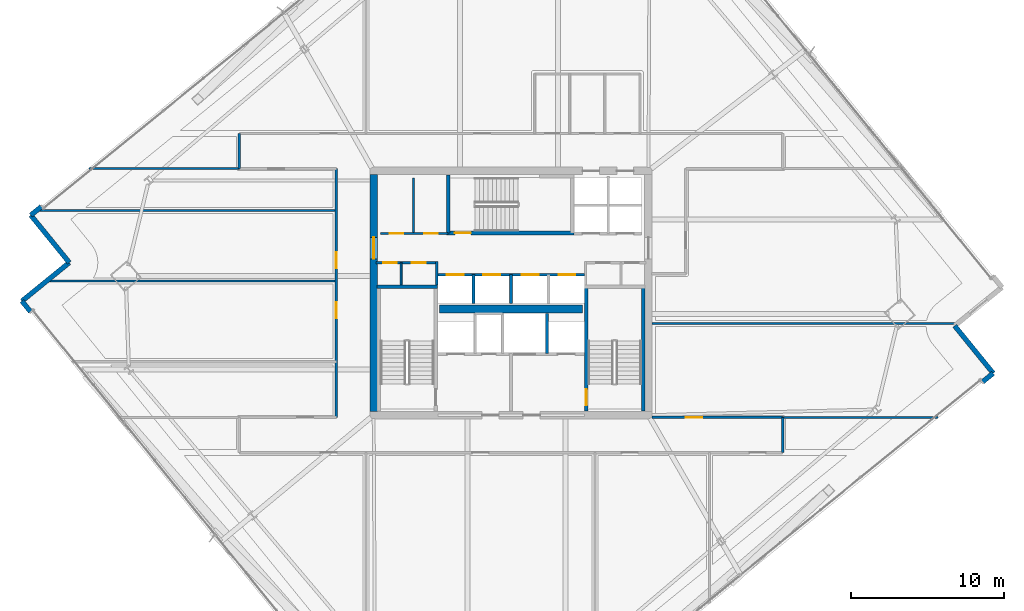
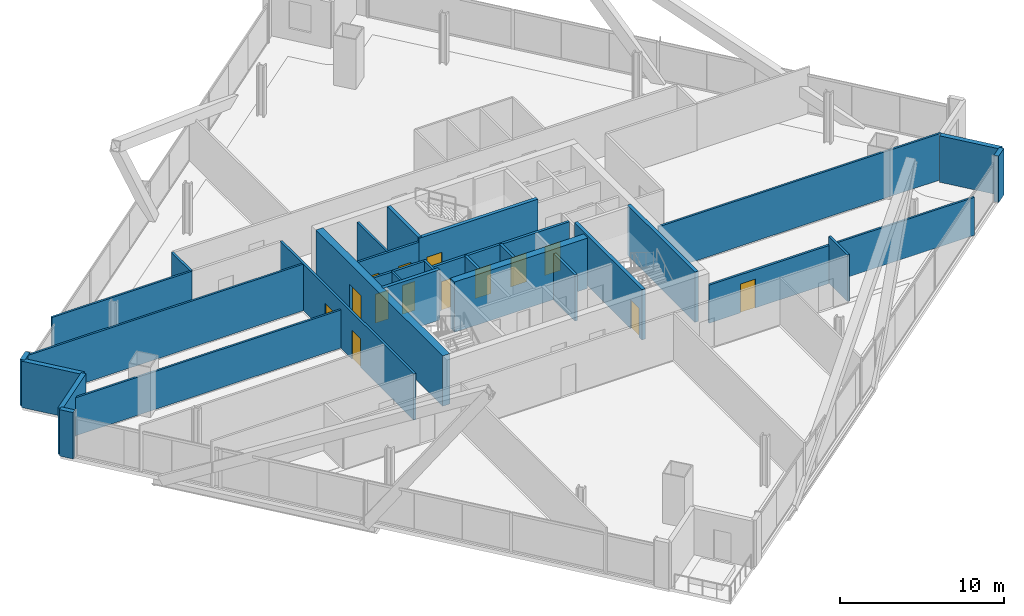
# One storey, part 29 of 36: 31 walls, 14 doors, 14 openings.
"""IFC4 building model written with IfcOpenShell, lengths in metres."""

from ifc_helpers import new_model, si_unit, direction, frame, frame_2d, origin, place, context, subcontext, project, spatial, rectangle, extrude, material, layer, layer_set, type_object, element, fill, save


model = new_model("IFC4")

# Units and contexts
model_context = context("Model", 3, precision=1e-05, world=origin(), true_north=direction((0.0, 1.0)))
body_context = subcontext(model_context, "Body", "Model", "MODEL_VIEW")
ifc_project = project(units=[si_unit("LENGTHUNIT", "METRE"), si_unit("AREAUNIT", "SQUARE_METRE"), si_unit("VOLUMEUNIT", "CUBIC_METRE"), si_unit("PLANEANGLEUNIT", "RADIAN"), si_unit("MASSUNIT", "GRAM", prefix="KILO")], contexts=[model_context])

# Site, building, storey
site_placement = place(None, origin())
site = spatial("IfcSite", under=ifc_project, at=site_placement, CompositionType="ELEMENT")
building_placement = place(site_placement, origin())
building = spatial("IfcBuilding", under=site, at=building_placement, Name="Haldenkirk Collegiate Tower", CompositionType="ELEMENT")
storey_placement = place(building_placement, frame((0.0, 0.0, 159.449951171875)))
storey = spatial("IfcBuildingStorey", under=building, at=storey_placement, Name="L39", CompositionType="ELEMENT", Elevation=159.449951171875)

# Wall, opening, door
ifc_material_1 = material(Name="Concrete f'c 55 MPa", Category="concrete")
ifc_layer_1 = layer(ifc_material_1, 0.5)
ifc_layer_set_1 = layer_set([ifc_layer_1], Name="Concrete f'c 55 MPa")
wall_type_1 = type_object("IfcWallType", Name="WL-CORE-500", PredefinedType="SHEAR", material=ifc_layer_set_1)
wall_1_placement = place(storey_placement, frame((27.0, 18.25, 0.0), z_axis=(0.0, 0.0, 1.0), x_axis=(0.0, 1.0, 0.0)))
wall_1 = element("IfcWall", 1, at=wall_1_placement, inside=storey, type_object=wall_type_1, Name="L39 central core shear wall W", PredefinedType="SHEAR", context=body_context, shape_type="SweptSolid", body=[
    extrude(rectangle(XDim=15.5, YDim=0.5, at=frame_2d((7.75, 0.0))), origin(), (0.0, 0.0, 1.0), 3.75),
])
opening_1_placement = place(wall_1_placement, frame((9.989990234375, 0.0, 0.0)))
opening_1 = element("IfcOpeningElement", 2, at=opening_1_placement, cuts=wall_1, Name="Opening D-03", PredefinedType="OPENING", context=body_context, shape_type="SweptSolid", body=[
    extrude(rectangle(XDim=1.39990234375, YDim=2.199951171875, at=frame_2d((0.699951171875, 1.10009765625))), frame((0.0, 0.260009765625, 0.0), z_axis=(0.0, -1.0, 0.0), x_axis=(1.0, 0.0, 0.0)), (0.0, 0.0, 1.0), 0.52001953125),
])
ifc_material_2 = material(Name="Galvanized fire-rated hollow steel door", Category="steel")
ifc_layer_2 = layer(ifc_material_2, 0.06005859375)
ifc_layer_set_2 = layer_set([ifc_layer_2], Name="Galvanized fire-rated hollow steel door")
door_type_1 = type_object("IfcDoorType", Name="DR-LOBBY-FD90-1400", OperationType="NOTDEFINED", PredefinedType="DOOR", material=ifc_layer_set_2)
door_1_placement = place(opening_1_placement, origin())
door_1 = element("IfcDoor", 3, at=door_1_placement, inside=storey, type_object=door_type_1, Name="L39 west lift lobby portal", OperationType="DOUBLE_DOOR_SINGLE_SWING", OverallHeight=2.199951171875, OverallWidth=1.39990234375, PredefinedType="DOOR", context=body_context, shape_type="SweptSolid", body=[
    extrude(rectangle(XDim=1.39990234375, YDim=2.199951171875, at=frame_2d((0.699951171875, 1.10009765625))), frame((0.0, 0.02490234375, 0.0), z_axis=(0.0, -1.0, 0.0), x_axis=(1.0, 0.0, 0.0)), (0.0, 0.0, 1.0), 0.050048828125),
])
fill(opening_1, door_1)

# Walls
wall_2_placement = place(storey_placement, frame((31.31005859375, 24.949951171875, 0.0), z_axis=(0.0, 0.0, 1.0), x_axis=(1.0, 0.0, 0.0)))
element("IfcWall", 4, at=wall_2_placement, inside=storey, type_object=wall_type_1, Name="L39 central core spine shear wall", PredefinedType="SHEAR", context=body_context, shape_type="SweptSolid", body=[
    extrude(rectangle(XDim=9.3798828125, YDim=0.5, at=frame_2d((4.68994140625, 0.0))), origin(), (0.0, 0.0, 1.0), 3.75),
])
ifc_material_3 = material(Name="Precast concrete f'c 40 MPa", Category="concrete")
ifc_layer_3 = layer(ifc_material_3, 0.320068359375)
ifc_layer_set_3 = layer_set([ifc_layer_3], Name="Precast concrete f'c 40 MPa")
wall_type_2 = type_object("IfcWallType", Name="WL-EXT-TWR-320", PredefinedType="STANDARD", material=ifc_layer_set_3)
wall_3_placement = place(storey_placement, frame((67.58837890625, 20.7451171875, 0.0), z_axis=(0.0, 0.0, 1.0), x_axis=(-0.776055916689, -0.630664105663, 0.0)))
element("IfcWall", 5, at=wall_3_placement, inside=storey, type_object=wall_type_2, Name="L39 precast corner pier SL", PredefinedType="STANDARD", context=body_context, shape_type="SweptSolid", body=[
    extrude(rectangle(XDim=0.900146484375, YDim=0.320068359375, at=frame_2d((0.4501953125, 0.0))), origin(), (0.0, 0.0, 1.0), 3.4599609375),
])
wall_4_placement = place(storey_placement, frame((65.065673828125, 23.849365234375, 0.0), z_axis=(0.0, 0.0, 1.0), x_axis=(0.63066844835, -0.776052387571, 0.0)))
element("IfcWall", 6, at=wall_4_placement, inside=storey, type_object=wall_type_2, Name="L39 bronze precast notch wall 02", PredefinedType="STANDARD", context=body_context, shape_type="SweptSolid", body=[
    extrude(rectangle(XDim=4.0, YDim=0.320068359375, at=frame_2d((2.0, 0.0))), origin(), (0.0, 0.0, 1.0), 3.4599609375),
])
wall_5_placement = place(storey_placement, frame((4.53759765625, 31.099609375, 0.0), z_axis=(0.0, 0.0, 1.0), x_axis=(0.776055916689, 0.630664105663, 0.0)))
element("IfcWall", 7, at=wall_5_placement, inside=storey, type_object=wall_type_2, Name="L39 precast corner pier NL", PredefinedType="STANDARD", context=body_context, shape_type="SweptSolid", body=[
    extrude(rectangle(XDim=0.900146484375, YDim=0.320068359375, at=frame_2d((0.4501953125, 0.0))), origin(), (0.0, 0.0, 1.0), 3.4599609375),
])
wall_6_placement = place(storey_placement, frame((7.060302734375, 27.995361328125, 0.0), z_axis=(0.0, 0.0, 1.0), x_axis=(-0.63066844835, 0.776052387571, 0.0)))
element("IfcWall", 8, at=wall_6_placement, inside=storey, type_object=wall_type_2, Name="L39 bronze precast notch wall 08", PredefinedType="STANDARD", context=body_context, shape_type="SweptSolid", body=[
    extrude(rectangle(XDim=4.0, YDim=0.320068359375, at=frame_2d((2.0, 0.0))), origin(), (0.0, 0.0, 1.0), 3.4599609375),
])
wall_7_placement = place(storey_placement, frame((3.956298828125, 25.47265625, 0.0), z_axis=(0.0, 0.0, 1.0), x_axis=(0.77602810986, 0.630698321471, 0.0)))
element("IfcWall", 9, at=wall_7_placement, inside=storey, type_object=wall_type_2, Name="L39 bronze precast notch wall 09", PredefinedType="STANDARD", context=body_context, shape_type="SweptSolid", body=[
    extrude(rectangle(XDim=3.999755859375, YDim=0.320068359375, at=frame_2d((2.0, 0.0))), origin(), (0.0, 0.0, 1.0), 3.4599609375),
])
wall_8_placement = place(storey_placement, frame((4.523681640625, 24.7744140625, 0.0), z_axis=(0.0, 0.0, 1.0), x_axis=(-0.63063348738, 0.776080797723, 0.0)))
element("IfcWall", 10, at=wall_8_placement, inside=storey, type_object=wall_type_2, Name="L39 precast corner pier WR", PredefinedType="STANDARD", context=body_context, shape_type="SweptSolid", body=[
    extrude(rectangle(XDim=0.899658203125, YDim=0.320068359375, at=frame_2d((0.44970703125, 0.0))), origin(), (0.0, 0.0, 1.0), 3.4599609375),
])

# Wall, openings, doors
ifc_material_4 = material(Name="Acoustic fire-rated gypsum partition", Category="concrete")
ifc_layer_4 = layer(ifc_material_4, 0.159912109375)
ifc_layer_set_4 = layer_set([ifc_layer_4], Name="Acoustic fire-rated gypsum partition")
wall_type_3 = type_object("IfcWallType", Name="WL-INT-CORR-160", PredefinedType="PARTITIONING", material=ifc_layer_set_4)
wall_9_placement = place(storey_placement, frame((27.14990234375, 27.97998046875, 0.0), z_axis=(0.0, 0.0, 1.0), x_axis=(1.0, 0.0, 0.0)))
wall_9 = element("IfcWall", 11, at=wall_9_placement, inside=storey, type_object=wall_type_3, Name="L39 interior partition IW-L39-VCSW-N", PredefinedType="PARTITIONING", context=body_context, shape_type="SweptSolid", body=[
    extrude(rectangle(XDim=4.050048828125, YDim=0.159912109375, at=frame_2d((2.02490234375, 0.0))), origin(), (0.0, 0.0, 1.0), 3.4599609375),
])
opening_2_placement = place(wall_9_placement, frame((0.469970703125, 0.0, 0.0)))
opening_2 = element("IfcOpeningElement", 12, at=opening_2_placement, cuts=wall_9, Name="Opening D-11", PredefinedType="OPENING", context=body_context, shape_type="SweptSolid", body=[
    extrude(rectangle(XDim=0.89990234375, YDim=2.14990234375, at=frame_2d((0.449951171875, 1.074951171875))), frame((0.0, 0.08984375, 0.0), z_axis=(0.0, -1.0, 0.0), x_axis=(1.0, 0.0, 0.0)), (0.0, 0.0, 1.0), 0.179931640625),
])
opening_3_placement = place(wall_9_placement, frame((2.360107421875, 0.0, 0.0)))
opening_3 = element("IfcOpeningElement", 13, at=opening_3_placement, cuts=wall_9, Name="Opening D-11", PredefinedType="OPENING", context=body_context, shape_type="SweptSolid", body=[
    extrude(rectangle(XDim=0.89990234375, YDim=2.14990234375, at=frame_2d((0.449951171875, 1.074951171875))), frame((0.0, 0.08984375, 0.0), z_axis=(0.0, -1.0, 0.0), x_axis=(1.0, 0.0, 0.0)), (0.0, 0.0, 1.0), 0.179931640625),
])
ifc_material_5 = material(Name="Solid-core architectural oak fire door", Category="wood")
ifc_layer_5 = layer(ifc_material_5, 0.06005859375)
ifc_layer_set_5 = layer_set([ifc_layer_5], Name="Solid-core architectural oak fire door")
door_type_2 = type_object("IfcDoorType", Name="DR-INT-FD60-900", OperationType="NOTDEFINED", PredefinedType="DOOR", material=ifc_layer_set_5)
door_2_placement = place(opening_2_placement, origin())
door_2 = element("IfcDoor", 14, at=door_2_placement, inside=storey, type_object=door_type_2, Name="L39 core AV closet door", OperationType="SINGLE_SWING_LEFT", OverallHeight=2.14990234375, OverallWidth=0.89990234375, PredefinedType="DOOR", context=body_context, shape_type="SweptSolid", body=[
    extrude(rectangle(XDim=0.89990234375, YDim=2.14990234375, at=frame_2d((0.449951171875, 1.074951171875))), frame((0.0, 0.02490234375, 0.0), z_axis=(0.0, -1.0, 0.0), x_axis=(1.0, 0.0, 0.0)), (0.0, 0.0, 1.0), 0.050048828125),
])
fill(opening_2, door_2)
door_3_placement = place(opening_3_placement, origin())
door_3 = element("IfcDoor", 15, at=door_3_placement, inside=storey, type_object=door_type_2, Name="L39 core supply closet door", OperationType="SINGLE_SWING_RIGHT", OverallHeight=2.14990234375, OverallWidth=0.89990234375, PredefinedType="DOOR", context=body_context, shape_type="SweptSolid", body=[
    extrude(rectangle(XDim=0.89990234375, YDim=2.14990234375, at=frame_2d((0.449951171875, 1.074951171875))), frame((0.0, 0.02490234375, 0.0), z_axis=(0.0, -1.0, 0.0), x_axis=(1.0, 0.0, 0.0)), (0.0, 0.0, 1.0), 0.050048828125),
])
fill(opening_3, door_3)

# Wall
wall_10_placement = place(storey_placement, frame((31.1201171875, 26.5400390625, 0.0), z_axis=(0.0, 0.0, 1.0), x_axis=(0.0, 1.0, 0.0)))
element("IfcWall", 16, at=wall_10_placement, inside=storey, type_object=wall_type_3, Name="L39 interior partition IW-L39-VCSW-E", PredefinedType="PARTITIONING", context=body_context, shape_type="SweptSolid", body=[
    extrude(rectangle(XDim=1.510009765625, YDim=0.159912109375, at=frame_2d((0.7548828125, 0.0))), origin(), (0.0, 0.0, 1.0), 3.4599609375),
])

# Wall, openings, doors
wall_11_placement = place(storey_placement, frame((27.449951171875, 29.89990234375, 0.0), z_axis=(0.0, 0.0, 1.0), x_axis=(1.0, 0.0, 0.0)))
wall_11 = element("IfcWall", 17, at=wall_11_placement, inside=storey, type_object=wall_type_3, Name="L39 interior partition IW-L39-PLS", PredefinedType="PARTITIONING", context=body_context, shape_type="SweptSolid", body=[
    extrude(rectangle(XDim=4.429931640625, YDim=0.159912109375, at=frame_2d((2.21484375, 0.0))), origin(), (0.0, 0.0, 1.0), 3.4599609375),
])
opening_4_placement = place(wall_11_placement, frame((0.60009765625, 0.0, 0.0)))
opening_4 = element("IfcOpeningElement", 18, at=opening_4_placement, cuts=wall_11, Name="Opening D-11", PredefinedType="OPENING", context=body_context, shape_type="SweptSolid", body=[
    extrude(rectangle(XDim=0.89990234375, YDim=2.14990234375, at=frame_2d((0.449951171875, 1.074951171875))), frame((0.0, 0.08984375, 0.0), z_axis=(0.0, -1.0, 0.0), x_axis=(1.0, 0.0, 0.0)), (0.0, 0.0, 1.0), 0.179931640625),
])
opening_5_placement = place(wall_11_placement, frame((2.85009765625, 0.0, 0.0)))
opening_5 = element("IfcOpeningElement", 19, at=opening_5_placement, cuts=wall_11, Name="Opening D-11", PredefinedType="OPENING", context=body_context, shape_type="SweptSolid", body=[
    extrude(rectangle(XDim=0.89990234375, YDim=2.14990234375, at=frame_2d((0.449951171875, 1.074951171875))), frame((0.0, 0.08984375, 0.0), z_axis=(0.0, -1.0, 0.0), x_axis=(1.0, 0.0, 0.0)), (0.0, 0.0, 1.0), 0.179931640625),
])
door_4_placement = place(opening_4_placement, origin())
door_4 = element("IfcDoor", 20, at=door_4_placement, inside=storey, type_object=door_type_2, Name="L39 tea kitchen door", OperationType="SINGLE_SWING_LEFT", OverallHeight=2.14990234375, OverallWidth=0.89990234375, PredefinedType="DOOR", context=body_context, shape_type="SweptSolid", body=[
    extrude(rectangle(XDim=0.89990234375, YDim=2.14990234375, at=frame_2d((0.449951171875, 1.074951171875))), frame((0.0, 0.02490234375, 0.0), z_axis=(0.0, -1.0, 0.0), x_axis=(1.0, 0.0, 0.0)), (0.0, 0.0, 1.0), 0.050048828125),
])
fill(opening_4, door_4)
door_5_placement = place(opening_5_placement, origin())
door_5 = element("IfcDoor", 21, at=door_5_placement, inside=storey, type_object=door_type_2, Name="L39 IT room door", OperationType="SINGLE_SWING_RIGHT", OverallHeight=2.14990234375, OverallWidth=0.89990234375, PredefinedType="DOOR", context=body_context, shape_type="SweptSolid", body=[
    extrude(rectangle(XDim=0.89990234375, YDim=2.14990234375, at=frame_2d((0.449951171875, 1.074951171875))), frame((0.0, 0.02490234375, 0.0), z_axis=(0.0, -1.0, 0.0), x_axis=(1.0, 0.0, 0.0)), (0.0, 0.0, 1.0), 0.050048828125),
])
fill(opening_5, door_5)

# Wall, opening, door
wall_12_placement = place(storey_placement, frame((45.25, 17.85009765625, 0.0), z_axis=(0.0, 0.0, 1.0), x_axis=(1.0, 0.0, 0.0)))
wall_12 = element("IfcWall", 22, at=wall_12_placement, inside=storey, type_object=wall_type_3, Name="L39 interior partition IW-L39-CSE", PredefinedType="PARTITIONING", context=body_context, shape_type="SweptSolid", body=[
    extrude(rectangle(XDim=8.550048828125, YDim=0.159912109375, at=frame_2d((4.27490234375, 0.0))), origin(), (0.0, 0.0, 1.0), 2.839111328125),
])
opening_6_placement = place(wall_12_placement, frame((2.2109375, 0.0, 0.0)))
opening_6 = element("IfcOpeningElement", 23, at=opening_6_placement, cuts=wall_12, Name="Opening D-09", PredefinedType="OPENING", context=body_context, shape_type="SweptSolid", body=[
    extrude(rectangle(XDim=1.050048828125, YDim=2.14990234375, at=frame_2d((0.52490234375, 1.074951171875))), frame((0.0, 0.08984375, 0.0), z_axis=(0.0, -1.0, 0.0), x_axis=(1.0, 0.0, 0.0)), (0.0, 0.0, 1.0), 0.179931640625),
])
ifc_layer_6 = layer(ifc_material_5, 0.06005859375)
ifc_layer_set_6 = layer_set([ifc_layer_6], Name="Solid-core architectural oak fire door")
door_type_3 = type_object("IfcDoorType", Name="DR-INT-FD60-1050", OperationType="NOTDEFINED", PredefinedType="DOOR", material=ifc_layer_set_6)
door_6_placement = place(opening_6_placement, origin())
door_6 = element("IfcDoor", 24, at=door_6_placement, inside=storey, type_object=door_type_3, Name="L39 Instrument Store Room 11 door", OperationType="SINGLE_SWING_RIGHT", OverallHeight=2.14990234375, OverallWidth=1.050048828125, PredefinedType="DOOR", context=body_context, shape_type="SweptSolid", body=[
    extrude(rectangle(XDim=1.050048828125, YDim=2.14990234375, at=frame_2d((0.52490234375, 1.074951171875))), frame((0.0, 0.02490234375, 0.0), z_axis=(0.0, -1.0, 0.0), x_axis=(1.0, 0.0, 0.0)), (0.0, 0.0, 1.0), 0.050048828125),
])
fill(opening_6, door_6)

# Wall, openings, doors
wall_13_placement = place(storey_placement, frame((24.550048828125, 17.85009765625, 0.0), z_axis=(0.0, 0.0, 1.0), x_axis=(0.0, 1.0, 0.0)))
wall_13 = element("IfcWall", 25, at=wall_13_placement, inside=storey, type_object=wall_type_3, Name="L39 interior partition IW-L39-CW", PredefinedType="PARTITIONING", context=body_context, shape_type="SweptSolid", body=[
    extrude(rectangle(XDim=16.2998046875, YDim=0.159912109375, at=frame_2d((8.14990234375, 0.0))), origin(), (0.0, 0.0, 1.0), 3.4599609375),
])
opening_7_placement = place(wall_13_placement, frame((6.490966796875, 0.0, 0.0)))
opening_7 = element("IfcOpeningElement", 26, at=opening_7_placement, cuts=wall_13, Name="Opening D-09", PredefinedType="OPENING", context=body_context, shape_type="SweptSolid", body=[
    extrude(rectangle(XDim=1.050048828125, YDim=2.14990234375, at=frame_2d((0.52490234375, 1.074951171875))), frame((0.0, 0.08984375, 0.0), z_axis=(0.0, -1.0, 0.0), x_axis=(1.0, 0.0, 0.0)), (0.0, 0.0, 1.0), 0.179931640625),
])
opening_8_placement = place(wall_13_placement, frame((9.777099609375, 0.0, 0.0)))
opening_8 = element("IfcOpeningElement", 27, at=opening_8_placement, cuts=wall_13, Name="Opening D-09", PredefinedType="OPENING", context=body_context, shape_type="SweptSolid", body=[
    extrude(rectangle(XDim=1.050048828125, YDim=2.14990234375, at=frame_2d((0.52490234375, 1.074951171875))), frame((0.0, 0.08984375, 0.0), z_axis=(0.0, -1.0, 0.0), x_axis=(1.0, 0.0, 0.0)), (0.0, 0.0, 1.0), 0.179931640625),
])
door_7_placement = place(opening_7_placement, origin())
door_7 = element("IfcDoor", 28, at=door_7_placement, inside=storey, type_object=door_type_3, Name="L39 Campus Print Shop 8 door", OperationType="SINGLE_SWING_LEFT", OverallHeight=2.14990234375, OverallWidth=1.050048828125, PredefinedType="DOOR", context=body_context, shape_type="SweptSolid", body=[
    extrude(rectangle(XDim=1.050048828125, YDim=2.14990234375, at=frame_2d((0.52490234375, 1.074951171875))), frame((0.0, 0.02490234375, 0.0), z_axis=(0.0, -1.0, 0.0), x_axis=(1.0, 0.0, 0.0)), (0.0, 0.0, 1.0), 0.050048828125),
])
fill(opening_7, door_7)
door_8_placement = place(opening_8_placement, origin())
door_8 = element("IfcDoor", 29, at=door_8_placement, inside=storey, type_object=door_type_3, Name="L39 Model Supply Shop 9 door", OperationType="SINGLE_SWING_RIGHT", OverallHeight=2.14990234375, OverallWidth=1.050048828125, PredefinedType="DOOR", context=body_context, shape_type="SweptSolid", body=[
    extrude(rectangle(XDim=1.050048828125, YDim=2.14990234375, at=frame_2d((0.52490234375, 1.074951171875))), frame((0.0, 0.02490234375, 0.0), z_axis=(0.0, -1.0, 0.0), x_axis=(1.0, 0.0, 0.0)), (0.0, 0.0, 1.0), 0.050048828125),
])
fill(opening_8, door_8)

# Walls
for number, where, z_axis, x_axis, name in (
    (30, (53.800048828125, 15.550048828125, 0.0), (0.0, 0.0, 1.0), (0.0, 1.0, 0.0), "L39 interior partition IW-L39-CSR"),
    (31, (18.199951171875, 34.14990234375, 0.0), (0.0, 0.0, 1.0), (0.0, 1.0, 0.0), "L39 interior partition IW-L39-CNL"),
):
    element("IfcWall", number, at=place(storey_placement, frame(where, z_axis=z_axis, x_axis=x_axis)), inside=storey, type_object=wall_type_3, Name=name, PredefinedType="PARTITIONING", context=body_context, shape_type="SweptSolid", body=[
        extrude(rectangle(XDim=2.300048828125, YDim=0.159912109375, at=frame_2d((1.14990234375, 0.0))), origin(), (0.0, 0.0, 1.0), 3.4599609375),
    ])
ifc_layer_7 = layer(ifc_material_4, 0.139892578125)
ifc_layer_set_7 = layer_set([ifc_layer_7], Name="Acoustic fire-rated gypsum partition")
wall_type_4 = type_object("IfcWallType", Name="WL-INT-DIV-140", PredefinedType="PARTITIONING", material=ifc_layer_set_7)
wall_14_placement = place(storey_placement, frame((29.6201171875, 29.949951171875, 0.0), z_axis=(0.0, 0.0, 1.0), x_axis=(0.0, 1.0, 0.0)))
element("IfcWall", 32, at=wall_14_placement, inside=storey, type_object=wall_type_4, Name="L39 interior partition IW-L39-PLDIV", PredefinedType="PARTITIONING", context=body_context, shape_type="SweptSolid", body=[
    extrude(rectangle(XDim=3.60009765625, YDim=0.139892578125, at=frame_2d((1.800048828125, 0.0))), origin(), (0.0, 0.0, 1.0), 3.4599609375),
])
wall_15_placement = place(storey_placement, frame((8.354736328125, 34.14990234375, 0.0), z_axis=(0.0, 0.0, 1.0), x_axis=(1.0, 0.0, 0.0)))
element("IfcWall", 33, at=wall_15_placement, inside=storey, type_object=wall_type_4, Name="L39 interior partition IW-L39-BWN", PredefinedType="PARTITIONING", context=body_context, shape_type="SweptSolid", body=[
    extrude(rectangle(XDim=9.84521484375, YDim=0.139892578125, at=frame_2d((4.922607421875, 0.0))), origin(), (0.0, 0.0, 1.0), 3.4599609375),
])
wall_16_placement = place(storey_placement, frame((53.800048828125, 17.85009765625, 0.0), z_axis=(0.0, 0.0, 1.0), x_axis=(1.0, 0.0, 0.0)))
element("IfcWall", 34, at=wall_16_placement, inside=storey, type_object=wall_type_4, Name="L39 interior partition IW-L39-BES", PredefinedType="PARTITIONING", context=body_context, shape_type="SweptSolid", body=[
    extrude(rectangle(XDim=10.162353515625, YDim=0.139892578125, at=frame_2d((5.0810546875, 0.0))), origin(), (0.0, 0.0, 1.0), 2.839111328125),
])
wall_17_placement = place(storey_placement, frame((5.65283203125, 26.800048828125, 0.0), z_axis=(0.0, 0.0, 1.0), x_axis=(1.0, 0.0, 0.0)))
element("IfcWall", 35, at=wall_17_placement, inside=storey, type_object=wall_type_4, Name="L39 interior partition IW-L39-RW2", PredefinedType="PARTITIONING", context=body_context, shape_type="SweptSolid", body=[
    extrude(rectangle(XDim=18.897216796875, YDim=0.139892578125, at=frame_2d((9.44873046875, 0.0))), origin(), (0.0, 0.0, 1.0), 2.839111328125),
])
wall_18_placement = place(storey_placement, frame((4.970703125, 31.39990234375, 0.0), z_axis=(0.0, 0.0, 1.0), x_axis=(1.0, 0.0, 0.0)))
element("IfcWall", 36, at=wall_18_placement, inside=storey, type_object=wall_type_4, Name="L39 interior partition IW-L39-RW3", PredefinedType="PARTITIONING", context=body_context, shape_type="SweptSolid", body=[
    extrude(rectangle(XDim=19.579345703125, YDim=0.139892578125, at=frame_2d((9.78955078125, 0.0))), origin(), (0.0, 0.0, 1.0), 3.4599609375),
])
wall_19_placement = place(storey_placement, frame((45.25, 24.0, 0.0), z_axis=(0.0, 0.0, 1.0), x_axis=(1.0, 0.0, 0.0)))
element("IfcWall", 37, at=wall_19_placement, inside=storey, type_object=wall_type_4, Name="L39 interior partition IW-L39-RE1", PredefinedType="PARTITIONING", context=body_context, shape_type="SweptSolid", body=[
    extrude(rectangle(XDim=19.9375, YDim=0.139892578125, at=frame_2d((9.96875, 0.0))), origin(), (0.0, 0.0, 1.0), 3.4599609375),
])
ifc_material_6 = material(Name="Fire-rated gypsum shaftboard assembly", Category="concrete")
ifc_layer_8 = layer(ifc_material_6, 0.179931640625)
ifc_layer_set_8 = layer_set([ifc_layer_8], Name="Fire-rated gypsum shaftboard assembly")
wall_type_5 = type_object("IfcWallType", Name="WL-INT-SHAFT-180", PredefinedType="PARTITIONING", material=ifc_layer_set_8)
wall_20_placement = place(storey_placement, frame((38.35009765625, 22.050048828125, 0.0), z_axis=(0.0, 0.0, 1.0), x_axis=(0.0, 1.0, 0.0)))
element("IfcWall", 38, at=wall_20_placement, inside=storey, type_object=wall_type_5, Name="L39 interior partition IW-L39-GL1E", PredefinedType="PARTITIONING", context=body_context, shape_type="SweptSolid", body=[
    extrude(rectangle(XDim=2.599853515625, YDim=0.179931640625, at=frame_2d((1.2998046875, 0.0))), origin(), (0.0, 0.0, 1.0), 3.4599609375),
])

# Wall, openings, doors
wall_21_placement = place(storey_placement, frame((31.199951171875, 27.199951171875, 0.0), z_axis=(0.0, 0.0, 1.0), x_axis=(1.0, 0.0, 0.0)))
wall_21 = element("IfcWall", 39, at=wall_21_placement, inside=storey, type_object=wall_type_5, Name="L39 interior partition IW-L39-PHN", PredefinedType="PARTITIONING", context=body_context, shape_type="SweptSolid", body=[
    extrude(rectangle(XDim=9.60009765625, YDim=0.179931640625, at=frame_2d((4.800048828125, 0.0))), origin(), (0.0, 0.0, 1.0), 3.4599609375),
])
opening_9_placement = place(wall_21_placement, frame((0.590087890625, 0.0, 0.0)))
opening_9 = element("IfcOpeningElement", 40, at=opening_9_placement, cuts=wall_21, Name="Opening LD-11", PredefinedType="OPENING", context=body_context, shape_type="SweptSolid", body=[
    extrude(rectangle(XDim=1.10009765625, YDim=2.14990234375, at=frame_2d((0.550048828125, 1.074951171875))), frame((0.0, 0.099853515625, 0.0), z_axis=(0.0, -1.0, 0.0), x_axis=(1.0, 0.0, 0.0)), (0.0, 0.0, 1.0), 0.199951171875),
])
opening_10_placement = place(wall_21_placement, frame((2.989990234375, 0.0, 0.0)))
opening_10 = element("IfcOpeningElement", 41, at=opening_10_placement, cuts=wall_21, Name="Opening LD-11", PredefinedType="OPENING", context=body_context, shape_type="SweptSolid", body=[
    extrude(rectangle(XDim=1.10009765625, YDim=2.14990234375, at=frame_2d((0.550048828125, 1.074951171875))), frame((0.0, 0.099853515625, 0.0), z_axis=(0.0, -1.0, 0.0), x_axis=(1.0, 0.0, 0.0)), (0.0, 0.0, 1.0), 0.199951171875),
])
opening_11_placement = place(wall_21_placement, frame((5.510009765625, 0.0, 0.0)))
opening_11 = element("IfcOpeningElement", 42, at=opening_11_placement, cuts=wall_21, Name="Opening LD-11", PredefinedType="OPENING", context=body_context, shape_type="SweptSolid", body=[
    extrude(rectangle(XDim=1.10009765625, YDim=2.14990234375, at=frame_2d((0.550048828125, 1.074951171875))), frame((0.0, 0.099853515625, 0.0), z_axis=(0.0, -1.0, 0.0), x_axis=(1.0, 0.0, 0.0)), (0.0, 0.0, 1.0), 0.199951171875),
])
opening_12_placement = place(wall_21_placement, frame((7.909912109375, 0.0, 0.0)))
opening_12 = element("IfcOpeningElement", 43, at=opening_12_placement, cuts=wall_21, Name="Opening LD-11", PredefinedType="OPENING", context=body_context, shape_type="SweptSolid", body=[
    extrude(rectangle(XDim=1.10009765625, YDim=2.14990234375, at=frame_2d((0.550048828125, 1.074951171875))), frame((0.0, 0.099853515625, 0.0), z_axis=(0.0, -1.0, 0.0), x_axis=(1.0, 0.0, 0.0)), (0.0, 0.0, 1.0), 0.199951171875),
])
ifc_material_7 = material(Name="Brushed architectural stainless steel", Category="steel")
ifc_layer_9 = layer(ifc_material_7, 0.06005859375)
ifc_layer_set_9 = layer_set([ifc_layer_9], Name="Brushed architectural stainless steel")
door_type_4 = type_object("IfcDoorType", Name="LD-PASS-1100", OperationType="NOTDEFINED", PredefinedType="DOOR", material=ifc_layer_set_9)
door_9_placement = place(opening_9_placement, origin())
door_9 = element("IfcDoor", 44, at=door_9_placement, inside=storey, type_object=door_type_4, Name="L39 Elevator PH1 sliding landing door", OperationType="SLIDING_TO_LEFT", OverallHeight=2.14990234375, OverallWidth=1.10009765625, PredefinedType="DOOR", context=body_context, shape_type="SweptSolid", body=[
    extrude(rectangle(XDim=1.10009765625, YDim=2.14990234375, at=frame_2d((0.550048828125, 1.074951171875))), frame((0.0, 0.02490234375, 0.0), z_axis=(0.0, -1.0, 0.0), x_axis=(1.0, 0.0, 0.0)), (0.0, 0.0, 1.0), 0.050048828125),
])
fill(opening_9, door_9)
door_10_placement = place(opening_10_placement, origin())
door_10 = element("IfcDoor", 45, at=door_10_placement, inside=storey, type_object=door_type_4, Name="L39 Elevator PH2 sliding landing door", OperationType="SLIDING_TO_LEFT", OverallHeight=2.14990234375, OverallWidth=1.10009765625, PredefinedType="DOOR", context=body_context, shape_type="SweptSolid", body=[
    extrude(rectangle(XDim=1.10009765625, YDim=2.14990234375, at=frame_2d((0.550048828125, 1.074951171875))), frame((0.0, 0.02490234375, 0.0), z_axis=(0.0, -1.0, 0.0), x_axis=(1.0, 0.0, 0.0)), (0.0, 0.0, 1.0), 0.050048828125),
])
fill(opening_10, door_10)
door_11_placement = place(opening_11_placement, origin())
door_11 = element("IfcDoor", 46, at=door_11_placement, inside=storey, type_object=door_type_4, Name="L39 Elevator PH3 sliding landing door", OperationType="SLIDING_TO_LEFT", OverallHeight=2.14990234375, OverallWidth=1.10009765625, PredefinedType="DOOR", context=body_context, shape_type="SweptSolid", body=[
    extrude(rectangle(XDim=1.10009765625, YDim=2.14990234375, at=frame_2d((0.550048828125, 1.074951171875))), frame((0.0, 0.02490234375, 0.0), z_axis=(0.0, -1.0, 0.0), x_axis=(1.0, 0.0, 0.0)), (0.0, 0.0, 1.0), 0.050048828125),
])
fill(opening_11, door_11)
door_12_placement = place(opening_12_placement, origin())
door_12 = element("IfcDoor", 47, at=door_12_placement, inside=storey, type_object=door_type_4, Name="L39 Elevator PH4 sliding landing door", OperationType="SLIDING_TO_LEFT", OverallHeight=2.14990234375, OverallWidth=1.10009765625, PredefinedType="DOOR", context=body_context, shape_type="SweptSolid", body=[
    extrude(rectangle(XDim=1.10009765625, YDim=2.14990234375, at=frame_2d((0.550048828125, 1.074951171875))), frame((0.0, 0.02490234375, 0.0), z_axis=(0.0, -1.0, 0.0), x_axis=(1.0, 0.0, 0.0)), (0.0, 0.0, 1.0), 0.050048828125),
])
fill(opening_12, door_12)

# Walls
for number, where, z_axis, x_axis, name in (
    (48, (33.5400390625, 25.300048828125, 0.0), (0.0, 0.0, 1.0), (0.0, 1.0, 0.0), "L39 interior partition IW-L39-PHV1"),
    (49, (36.0, 25.300048828125, 0.0), (0.0, 0.0, 1.0), (0.0, 1.0, 0.0), "L39 interior partition IW-L39-PHV2"),
):
    element("IfcWall", number, at=place(storey_placement, frame(where, z_axis=z_axis, x_axis=x_axis)), inside=storey, type_object=wall_type_5, Name=name, PredefinedType="PARTITIONING", context=body_context, shape_type="SweptSolid", body=[
        extrude(rectangle(XDim=1.89990234375, YDim=0.179931640625, at=frame_2d((0.949951171875, 0.0))), origin(), (0.0, 0.0, 1.0), 3.4599609375),
    ])
ifc_layer_10 = layer(ifc_material_4, 0.1201171875)
ifc_layer_set_10 = layer_set([ifc_layer_10], Name="Acoustic fire-rated gypsum partition")
wall_type_6 = type_object("IfcWallType", Name="WL-INT-WET-120", PredefinedType="PARTITIONING", material=ifc_layer_set_10)
wall_22_placement = place(storey_placement, frame((28.800048828125, 26.5400390625, 0.0), z_axis=(0.0, 0.0, 1.0), x_axis=(0.0, 1.0, 0.0)))
element("IfcWall", 50, at=wall_22_placement, inside=storey, type_object=wall_type_6, Name="L39 interior partition IW-L39-VCSW-M", PredefinedType="PARTITIONING", context=body_context, shape_type="SweptSolid", body=[
    extrude(rectangle(XDim=1.43994140625, YDim=0.1201171875, at=frame_2d((0.719970703125, 0.0))), origin(), (0.0, 0.0, 1.0), 3.4599609375),
])
ifc_layer_11 = layer(ifc_material_1, 0.239990234375)
ifc_layer_set_11 = layer_set([ifc_layer_11], Name="Concrete f'c 55 MPa")
wall_type_7 = type_object("IfcWallType", Name="WL-SHAFT-240", PredefinedType="SHEAR", material=ifc_layer_set_11)
wall_23_placement = place(storey_placement, frame((27.2099609375, 26.419921875, 0.0), z_axis=(0.0, 0.0, 1.0), x_axis=(1.0, 0.0, 0.0)))
element("IfcWall", 51, at=wall_23_placement, inside=storey, type_object=wall_type_7, Name="L39 stair shaft shear wall SW-L39-ST1N", PredefinedType="SHEAR", context=body_context, shape_type="SweptSolid", body=[
    extrude(rectangle(XDim=3.97998046875, YDim=0.239990234375, at=frame_2d((1.989990234375, 0.0))), origin(), (0.0, 0.0, 1.0), 3.75),
])

# Wall, opening, door
wall_24_placement = place(storey_placement, frame((40.929931640625, 18.280029296875, 0.0), z_axis=(0.0, 0.0, 1.0), x_axis=(0.0, 1.0, 0.0)))
wall_24 = element("IfcWall", 52, at=wall_24_placement, inside=storey, type_object=wall_type_7, Name="L39 stair shaft shear wall SW-L39-ST2W", PredefinedType="SHEAR", context=body_context, shape_type="SweptSolid", body=[
    extrude(rectangle(XDim=8.260009765625, YDim=0.239990234375, at=frame_2d((4.1298828125, 0.0))), origin(), (0.0, 0.0, 1.0), 3.75),
])
opening_13_placement = place(wall_24_placement, frame((0.364990234375, 0.0, 0.0)))
opening_13 = element("IfcOpeningElement", 53, at=opening_13_placement, cuts=wall_24, Name="Opening D-01", PredefinedType="OPENING", context=body_context, shape_type="SweptSolid", body=[
    extrude(rectangle(XDim=1.050048828125, YDim=2.14990234375, at=frame_2d((0.52490234375, 1.074951171875))), frame((0.0, 0.1298828125, 0.0), z_axis=(0.0, -1.0, 0.0), x_axis=(1.0, 0.0, 0.0)), (0.0, 0.0, 1.0), 0.260009765625),
])
ifc_layer_12 = layer(ifc_material_2, 0.06005859375)
ifc_layer_set_12 = layer_set([ifc_layer_12], Name="Galvanized fire-rated hollow steel door")
door_type_5 = type_object("IfcDoorType", Name="DR-STAIR-FD90-1050", OperationType="NOTDEFINED", PredefinedType="DOOR", material=ifc_layer_set_12)
door_13_placement = place(opening_13_placement, origin())
door_13 = element("IfcDoor", 54, at=door_13_placement, inside=storey, type_object=door_type_5, Name="L39 Stair 2 door", OperationType="SINGLE_SWING_RIGHT", OverallHeight=2.14990234375, OverallWidth=1.050048828125, PredefinedType="DOOR", context=body_context, shape_type="SweptSolid", body=[
    extrude(rectangle(XDim=1.050048828125, YDim=2.14990234375, at=frame_2d((0.52490234375, 1.074951171875))), frame((0.0, 0.02490234375, 0.0), z_axis=(0.0, -1.0, 0.0), x_axis=(1.0, 0.0, 0.0)), (0.0, 0.0, 1.0), 0.050048828125),
])
fill(opening_13, door_13)

# Wall
wall_25_placement = place(storey_placement, frame((44.669921875, 18.280029296875, 0.0), z_axis=(0.0, 0.0, 1.0), x_axis=(0.0, 1.0, 0.0)))
element("IfcWall", 55, at=wall_25_placement, inside=storey, type_object=wall_type_7, Name="L39 stair shaft shear wall SW-L39-ST2E", PredefinedType="SHEAR", context=body_context, shape_type="SweptSolid", body=[
    extrude(rectangle(XDim=8.260009765625, YDim=0.239990234375, at=frame_2d((4.1298828125, 0.0))), origin(), (0.0, 0.0, 1.0), 3.75),
])

# Wall, opening, door
wall_26_placement = place(storey_placement, frame((31.760009765625, 29.929931640625, 0.0), z_axis=(0.0, 0.0, 1.0), x_axis=(1.0, 0.0, 0.0)))
wall_26 = element("IfcWall", 56, at=wall_26_placement, inside=storey, type_object=wall_type_7, Name="L39 stair shaft shear wall SW-L39-ST3S", PredefinedType="SHEAR", context=body_context, shape_type="SweptSolid", body=[
    extrude(rectangle(XDim=8.3798828125, YDim=0.239990234375, at=frame_2d((4.18994140625, 0.0))), origin(), (0.0, 0.0, 1.0), 3.75),
])
opening_14_placement = place(wall_26_placement, frame((0.56494140625, 0.0, 0.0)))
opening_14 = element("IfcOpeningElement", 57, at=opening_14_placement, cuts=wall_26, Name="Opening D-01", PredefinedType="OPENING", context=body_context, shape_type="SweptSolid", body=[
    extrude(rectangle(XDim=1.050048828125, YDim=2.14990234375, at=frame_2d((0.52490234375, 1.074951171875))), frame((0.0, 0.1298828125, 0.0), z_axis=(0.0, -1.0, 0.0), x_axis=(1.0, 0.0, 0.0)), (0.0, 0.0, 1.0), 0.260009765625),
])
door_14_placement = place(opening_14_placement, origin())
door_14 = element("IfcDoor", 58, at=door_14_placement, inside=storey, type_object=door_type_5, Name="L39 lift lobby Stair 3 door", OperationType="SINGLE_SWING_LEFT", OverallHeight=2.14990234375, OverallWidth=1.050048828125, PredefinedType="DOOR", context=body_context, shape_type="SweptSolid", body=[
    extrude(rectangle(XDim=1.050048828125, YDim=2.14990234375, at=frame_2d((0.52490234375, 1.074951171875))), frame((0.0, 0.02490234375, 0.0), z_axis=(0.0, -1.0, 0.0), x_axis=(1.0, 0.0, 0.0)), (0.0, 0.0, 1.0), 0.050048828125),
])
fill(opening_14, door_14)

# Wall
wall_27_placement = place(storey_placement, frame((31.8798828125, 29.929931640625, 0.0), z_axis=(0.0, 0.0, 1.0), x_axis=(0.0, 1.0, 0.0)))
element("IfcWall", 59, at=wall_27_placement, inside=storey, type_object=wall_type_7, Name="L39 stair shaft shear wall SW-L39-ST3W", PredefinedType="SHEAR", context=body_context, shape_type="SweptSolid", body=[
    extrude(rectangle(XDim=3.7900390625, YDim=0.239990234375, at=frame_2d((1.89501953125, 0.0))), origin(), (0.0, 0.0, 1.0), 3.75),
])

save(model, "model.ifc")
